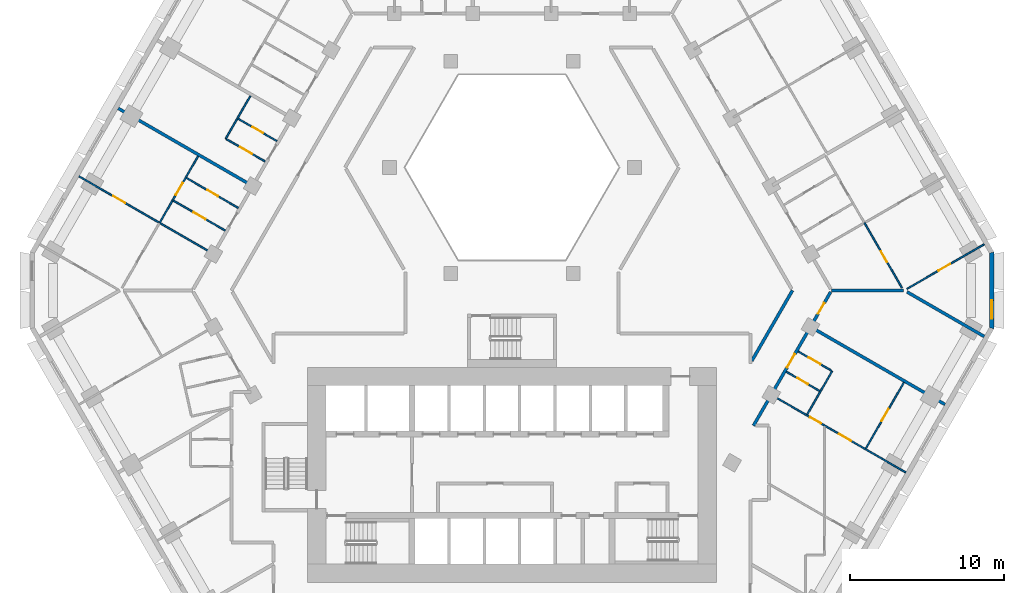
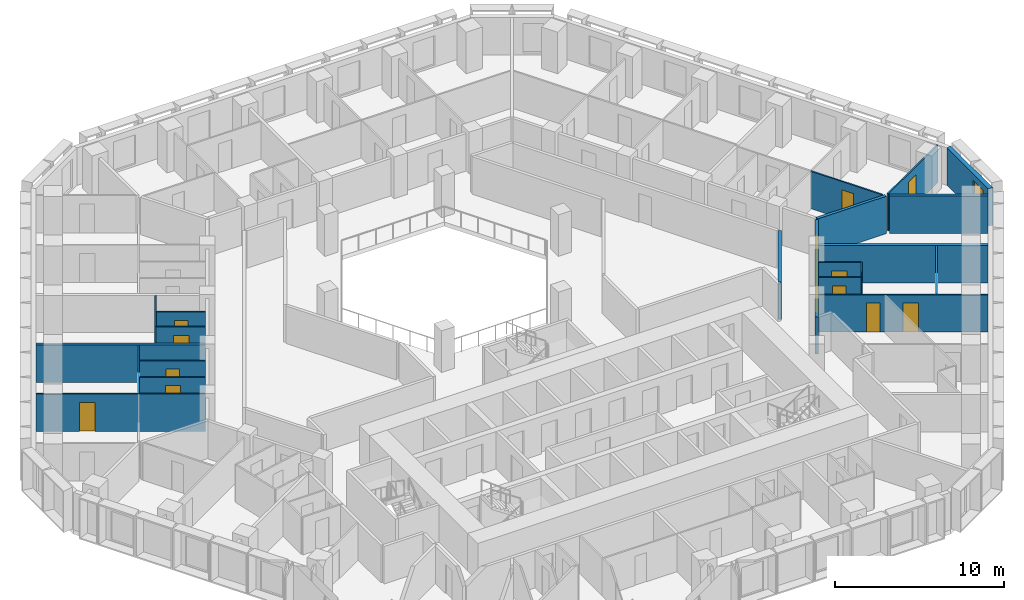
# One storey, part 7 of 16: 21 walls, 15 doors, 1 window, 16 openings.
"""IFC4 building model written with IfcOpenShell, lengths in metres."""

from ifc_helpers import new_model, si_unit, direction, frame, frame_2d, origin, place, context, subcontext, project, spatial, polyline, rectangle, outline, extrude, material, layer, layer_set, type_object, element, fill, save


model = new_model("IFC4")

# Units and contexts
model_context = context("Model", 3, precision=1e-05, world=origin(), true_north=direction((0.0, 1.0)))
body_context = subcontext(model_context, "Body", "Model", "MODEL_VIEW")
ifc_project = project(units=[si_unit("LENGTHUNIT", "METRE"), si_unit("AREAUNIT", "SQUARE_METRE"), si_unit("VOLUMEUNIT", "CUBIC_METRE"), si_unit("PLANEANGLEUNIT", "RADIAN"), si_unit("MASSUNIT", "GRAM", prefix="KILO")], contexts=[model_context])

# Site, building, storey
site_placement = place(None, origin())
site = spatial("IfcSite", under=ifc_project, at=site_placement, CompositionType="ELEMENT")
building_placement = place(site_placement, origin())
building = spatial("IfcBuilding", under=site, at=building_placement, Name="Beryl Residences", CompositionType="ELEMENT")
storey_placement = place(building_placement, frame((0.0, 0.0, 50.39990234375)))
storey = spatial("IfcBuildingStorey", under=building, at=storey_placement, Name="L15", CompositionType="ELEMENT", Elevation=50.39990234375)

# Wall, opening, window
ifc_material_1 = material(Name="Composite metal panel with mineral wool insulation")
ifc_layer_1 = layer(ifc_material_1, 0.300048828125)
ifc_layer_set_1 = layer_set([ifc_layer_1], Name="ES1 pale metal composite panel wall 300 mm")
wall_type_1 = type_object("IfcWallType", Name="ES1 pale metal composite panel wall 300 mm", PredefinedType="SOLIDWALL", material=ifc_layer_set_1)
wall_1_placement = place(storey_placement, frame((31.199951171875, -2.5, 0.0), z_axis=(0.0, 0.0, 1.0), x_axis=(0.0, 1.0, 0.0)))
wall_1 = element("IfcWall", 1, at=wall_1_placement, inside=storey, type_object=wall_type_1, Name="ES1 external wall L15 SE-NE", PredefinedType="SOLIDWALL", context=body_context, shape_type="SweptSolid", body=[
    extrude(outline(polyline([(0.0, -0.14990234375), (5.0, -0.14990234375), (4.919677734375, 0.14990234375), (0.080322265625, 0.14990234375), (0.0, -0.14990234375)])), origin(), (0.0, 0.0, 1.0), 2.7001953125),
])
opening_1_placement = place(wall_1_placement, frame((0.64990234375, 0.0, 0.14990234375)))
opening_1 = element("IfcOpeningElement", 2, at=opening_1_placement, cuts=wall_1, Name="Opening W2", PredefinedType="OPENING", context=body_context, shape_type="SweptSolid", body=[
    extrude(rectangle(XDim=1.199951171875, YDim=2.10009765625, at=frame_2d((0.60009765625, 1.050048828125))), frame((0.0, 0.159912109375, 0.0), z_axis=(0.0, -1.0, 0.0), x_axis=(1.0, 0.0, 0.0)), (0.0, 0.0, 1.0), 0.320068359375),
])
ifc_material_2 = material(Name="Aluminium and clear glass", Category="aluminium")
window_type = type_object("IfcWindowType", Name="W2 chamfer window 1200 x 2100 mm", PartitioningType="SINGLE_PANEL", PredefinedType="WINDOW", material=ifc_material_2)
window_placement = place(opening_1_placement, origin())
window = element("IfcWindow", 3, at=window_placement, inside=storey, type_object=window_type, Name="W2 window L15 SE-NE 1", OverallHeight=2.10009765625, OverallWidth=1.199951171875, PartitioningType="SINGLE_PANEL", PredefinedType="WINDOW", context=body_context, shape_type="SweptSolid", body=[
    extrude(rectangle(XDim=1.199951171875, YDim=2.10009765625, at=frame_2d((0.60009765625, 1.050048828125))), frame((0.0, 0.030029296875, 0.0), z_axis=(0.0, -1.0, 0.0), x_axis=(1.0, 0.0, 0.0)), (0.0, 0.0, 1.0), 0.06005859375),
])
fill(opening_1, window)

# Wall, opening, door
ifc_material_3 = material(Name="Gypsum board partition on steel studs", Category="steel")
ifc_layer_2 = layer(ifc_material_3, 0.10009765625)
ifc_layer_set_2 = layer_set([ifc_layer_2], Name="PT1 partition 100 mm gypsum board on steel studs")
wall_type_2 = type_object("IfcWallType", Name="PT1 partition 100 mm gypsum board on steel studs", PredefinedType="PARTITIONING", material=ifc_layer_set_2)
wall_2_placement = place(storey_placement, frame((-21.177001953125, 7.31396484375, 0.0), z_axis=(0.0, 0.0, 1.0), x_axis=(0.865979019114, -0.500080332001, 0.0)))
wall_2 = element("IfcWall", 4, at=wall_2_placement, inside=storey, type_object=wall_type_2, Name="Wall PT1 L15 011", PredefinedType="PARTITIONING", context=body_context, shape_type="SweptSolid", body=[
    extrude(rectangle(XDim=3.897216796875, YDim=0.10009765625, at=frame_2d((1.94873046875, 0.0))), origin(), (0.0, 0.0, 1.0), 2.7001953125),
])
opening_2_placement = place(wall_2_placement, frame((1.573974609375, 0.0, 0.0)))
opening_2 = element("IfcOpeningElement", 5, at=opening_2_placement, cuts=wall_2, Name="Opening D0505", PredefinedType="OPENING", context=body_context, shape_type="SweptSolid", body=[
    extrude(rectangle(XDim=0.800048828125, YDim=2.10009765625, at=frame_2d((0.39990234375, 1.050048828125))), frame((0.0, 0.06005859375, 0.0), z_axis=(0.0, -1.0, 0.0), x_axis=(1.0, 0.0, 0.0)), (0.0, 0.0, 1.0), 0.1201171875),
])
ifc_material_4 = material(Name="Timber door leaf", Category="wood")
door_type_1 = type_object("IfcDoorType", Name="D3 bathroom door 800 x 2100 mm", OperationType="SINGLE_SWING_LEFT", PredefinedType="DOOR", material=ifc_material_4)
door_1_placement = place(opening_2_placement, origin())
door_1 = element("IfcDoor", 6, at=door_1_placement, inside=storey, type_object=door_type_1, Name="Door D0505 L15 001", OperationType="SINGLE_SWING_LEFT", OverallHeight=2.10009765625, OverallWidth=0.800048828125, PredefinedType="DOOR", context=body_context, shape_type="SweptSolid", body=[
    extrude(rectangle(XDim=0.800048828125, YDim=2.10009765625, at=frame_2d((0.39990234375, 1.050048828125))), frame((0.0, 0.02490234375, 0.0), z_axis=(0.0, -1.0, 0.0), x_axis=(1.0, 0.0, 0.0)), (0.0, 0.0, 1.0), 0.050048828125),
])
fill(opening_2, door_1)

wall_3_placement = place(storey_placement, frame((-22.027099609375, 5.842041015625, 0.0), z_axis=(0.0, 0.0, 1.0), x_axis=(0.865979019114, -0.500080332001, 0.0)))
wall_3 = element("IfcWall", 7, at=wall_3_placement, inside=storey, type_object=wall_type_2, Name="Wall PT1 L15 012", PredefinedType="PARTITIONING", context=body_context, shape_type="SweptSolid", body=[
    extrude(rectangle(XDim=3.897216796875, YDim=0.10009765625, at=frame_2d((1.94873046875, 0.0))), origin(), (0.0, 0.0, 1.0), 2.7001953125),
])
opening_3_placement = place(wall_3_placement, frame((1.52392578125, 0.0, 0.0)))
opening_3 = element("IfcOpeningElement", 8, at=opening_3_placement, cuts=wall_3, Name="Opening D0506", PredefinedType="OPENING", context=body_context, shape_type="SweptSolid", body=[
    extrude(rectangle(XDim=0.89990234375, YDim=2.10009765625, at=frame_2d((0.449951171875, 1.050048828125))), frame((0.0, 0.06005859375, 0.0), z_axis=(0.0, -1.0, 0.0), x_axis=(1.0, 0.0, 0.0)), (0.0, 0.0, 1.0), 0.1201171875),
])
ifc_material_5 = material(Name="Timber door leaf", Category="wood")
door_type_2 = type_object("IfcDoorType", Name="D2 room door 900 x 2100 mm", OperationType="SINGLE_SWING_LEFT", PredefinedType="DOOR", material=ifc_material_5)
door_2_placement = place(opening_3_placement, origin())
door_2 = element("IfcDoor", 9, at=door_2_placement, inside=storey, type_object=door_type_2, Name="Door D0506 L15 001", OperationType="SINGLE_SWING_RIGHT", OverallHeight=2.10009765625, OverallWidth=0.89990234375, PredefinedType="DOOR", context=body_context, shape_type="SweptSolid", body=[
    extrude(rectangle(XDim=0.89990234375, YDim=2.10009765625, at=frame_2d((0.449951171875, 1.050048828125))), frame((0.0, 0.02490234375, 0.0), z_axis=(0.0, -1.0, 0.0), x_axis=(1.0, 0.0, 0.0)), (0.0, 0.0, 1.0), 0.050048828125),
])
fill(opening_3, door_2)

wall_4_placement = place(storey_placement, frame((-28.1640625, 7.4189453125, 0.0), z_axis=(0.0, 0.0, 1.0), x_axis=(0.866047370643, -0.499961950354, 0.0)))
wall_4 = element("IfcWall", 10, at=wall_4_placement, inside=storey, type_object=wall_type_2, Name="Wall PT1 L15 013", PredefinedType="PARTITIONING", context=body_context, shape_type="SweptSolid", body=[
    extrude(rectangle(XDim=10.000732421875, YDim=0.10009765625, at=frame_2d((5.00048828125, 0.0))), origin(), (0.0, 0.0, 1.0), 2.7001953125),
])
opening_4_placement = place(wall_4_placement, frame((2.576904296875, 0.0, 0.0)))
opening_4 = element("IfcOpeningElement", 11, at=opening_4_placement, cuts=wall_4, Name="Opening D0508", PredefinedType="OPENING", context=body_context, shape_type="SweptSolid", body=[
    extrude(rectangle(XDim=0.89990234375, YDim=2.10009765625, at=frame_2d((0.449951171875, 1.050048828125))), frame((0.0, 0.06005859375, 0.0), z_axis=(0.0, -1.0, 0.0), x_axis=(1.0, 0.0, 0.0)), (0.0, 0.0, 1.0), 0.1201171875),
])
door_3_placement = place(opening_4_placement, origin())
door_3 = element("IfcDoor", 12, at=door_3_placement, inside=storey, type_object=door_type_2, Name="Door D0508 L15 001", OperationType="SINGLE_SWING_RIGHT", OverallHeight=2.10009765625, OverallWidth=0.89990234375, PredefinedType="DOOR", context=body_context, shape_type="SweptSolid", body=[
    extrude(rectangle(XDim=0.89990234375, YDim=2.10009765625, at=frame_2d((0.449951171875, 1.050048828125))), frame((0.0, 0.02490234375, 0.0), z_axis=(0.0, -1.0, 0.0), x_axis=(1.0, 0.0, 0.0)), (0.0, 0.0, 1.0), 0.050048828125),
])
fill(opening_4, door_3)

wall_5_placement = place(storey_placement, frame((-18.576904296875, 9.841064453125, 0.0), z_axis=(0.0, 0.0, 1.0), x_axis=(0.865899003441, -0.500218867937, 0.0)))
wall_5 = element("IfcWall", 13, at=wall_5_placement, inside=storey, type_object=wall_type_2, Name="Wall PT1 L15 014", PredefinedType="PARTITIONING", context=body_context, shape_type="SweptSolid", body=[
    extrude(rectangle(XDim=2.908935546875, YDim=0.10009765625, at=frame_2d((1.45458984375, 0.0))), origin(), (0.0, 0.0, 1.0), 2.7001953125),
])
opening_5_placement = place(wall_5_placement, frame((1.029052734375, 0.0, 0.0)))
opening_5 = element("IfcOpeningElement", 14, at=opening_5_placement, cuts=wall_5, Name="Opening D0502", PredefinedType="OPENING", context=body_context, shape_type="SweptSolid", body=[
    extrude(rectangle(XDim=0.89990234375, YDim=2.10009765625, at=frame_2d((0.449951171875, 1.050048828125))), frame((0.0, 0.06005859375, 0.0), z_axis=(0.0, -1.0, 0.0), x_axis=(1.0, 0.0, 0.0)), (0.0, 0.0, 1.0), 0.1201171875),
])
door_4_placement = place(opening_5_placement, origin())
door_4 = element("IfcDoor", 15, at=door_4_placement, inside=storey, type_object=door_type_2, Name="Door D0502 L15 001", OperationType="SINGLE_SWING_RIGHT", OverallHeight=2.10009765625, OverallWidth=0.89990234375, PredefinedType="DOOR", context=body_context, shape_type="SweptSolid", body=[
    extrude(rectangle(XDim=0.89990234375, YDim=2.10009765625, at=frame_2d((0.449951171875, 1.050048828125))), frame((0.0, 0.02490234375, 0.0), z_axis=(0.0, -1.0, 0.0), x_axis=(1.0, 0.0, 0.0)), (0.0, 0.0, 1.0), 0.050048828125),
])
fill(opening_5, door_4)

wall_6_placement = place(storey_placement, frame((17.843994140625, -5.2919921875, 0.0), z_axis=(0.0, 0.0, 1.0), x_axis=(0.866038211682, -0.499977815414, 0.0)))
wall_6 = element("IfcWall", 16, at=wall_6_placement, inside=storey, type_object=wall_type_2, Name="Wall PT1 L15 018", PredefinedType="PARTITIONING", context=body_context, shape_type="SweptSolid", body=[
    extrude(rectangle(XDim=2.51025390625, YDim=0.10009765625, at=frame_2d((1.255126953125, 0.0))), origin(), (0.0, 0.0, 1.0), 2.7001953125),
])
opening_6_placement = place(wall_6_placement, frame((0.830078125, 0.0, 0.0)))
opening_6 = element("IfcOpeningElement", 17, at=opening_6_placement, cuts=wall_6, Name="Opening D0538", PredefinedType="OPENING", context=body_context, shape_type="SweptSolid", body=[
    extrude(rectangle(XDim=0.800048828125, YDim=2.10009765625, at=frame_2d((0.39990234375, 1.050048828125))), frame((0.0, 0.06005859375, 0.0), z_axis=(0.0, -1.0, 0.0), x_axis=(1.0, 0.0, 0.0)), (0.0, 0.0, 1.0), 0.1201171875),
])
door_5_placement = place(opening_6_placement, origin())
door_5 = element("IfcDoor", 18, at=door_5_placement, inside=storey, type_object=door_type_1, Name="Door D0538 L15 001", OperationType="SINGLE_SWING_RIGHT", OverallHeight=2.10009765625, OverallWidth=0.800048828125, PredefinedType="DOOR", context=body_context, shape_type="SweptSolid", body=[
    extrude(rectangle(XDim=0.800048828125, YDim=2.10009765625, at=frame_2d((0.39990234375, 1.050048828125))), frame((0.0, 0.02490234375, 0.0), z_axis=(0.0, -1.0, 0.0), x_axis=(1.0, 0.0, 0.0)), (0.0, 0.0, 1.0), 0.050048828125),
])
fill(opening_6, door_5)

wall_7_placement = place(storey_placement, frame((18.610107421875, -3.966064453125, 0.0), z_axis=(0.0, 0.0, 1.0), x_axis=(0.865958718457, -0.500115484592, 0.0)))
wall_7 = element("IfcWall", 19, at=wall_7_placement, inside=storey, type_object=wall_type_2, Name="Wall PT1 L15 019", PredefinedType="PARTITIONING", context=body_context, shape_type="SweptSolid", body=[
    extrude(rectangle(XDim=2.50927734375, YDim=0.10009765625, at=frame_2d((1.254638671875, 0.0))), origin(), (0.0, 0.0, 1.0), 2.7001953125),
])
opening_7_placement = place(wall_7_placement, frame((0.780029296875, 0.0, 0.0)))
opening_7 = element("IfcOpeningElement", 20, at=opening_7_placement, cuts=wall_7, Name="Opening D0537", PredefinedType="OPENING", context=body_context, shape_type="SweptSolid", body=[
    extrude(rectangle(XDim=0.89990234375, YDim=2.10009765625, at=frame_2d((0.449951171875, 1.050048828125))), frame((0.0, 0.06005859375, 0.0), z_axis=(0.0, -1.0, 0.0), x_axis=(1.0, 0.0, 0.0)), (0.0, 0.0, 1.0), 0.1201171875),
])
door_6_placement = place(opening_7_placement, origin())
door_6 = element("IfcDoor", 21, at=door_6_placement, inside=storey, type_object=door_type_2, Name="Door D0537 L15 001", OperationType="SINGLE_SWING_LEFT", OverallHeight=2.10009765625, OverallWidth=0.89990234375, PredefinedType="DOOR", context=body_context, shape_type="SweptSolid", body=[
    extrude(rectangle(XDim=0.89990234375, YDim=2.10009765625, at=frame_2d((0.449951171875, 1.050048828125))), frame((0.0, 0.02490234375, 0.0), z_axis=(0.0, -1.0, 0.0), x_axis=(1.0, 0.0, 0.0)), (0.0, 0.0, 1.0), 0.050048828125),
])
fill(opening_7, door_6)

wall_8_placement = place(storey_placement, frame((-17.81298828125, 11.1669921875, 0.0), z_axis=(0.0, 0.0, 1.0), x_axis=(0.866087824531, -0.499891868507, 0.0)))
wall_8 = element("IfcWall", 22, at=wall_8_placement, inside=storey, type_object=wall_type_2, Name="Wall PT1 L15 021", PredefinedType="PARTITIONING", context=body_context, shape_type="SweptSolid", body=[
    extrude(rectangle(XDim=2.910888671875, YDim=0.10009765625, at=frame_2d((1.45556640625, 0.0))), origin(), (0.0, 0.0, 1.0), 2.7001953125),
])
opening_8_placement = place(wall_8_placement, frame((1.080078125, 0.0, 0.0)))
opening_8 = element("IfcOpeningElement", 23, at=opening_8_placement, cuts=wall_8, Name="Opening D0503", PredefinedType="OPENING", context=body_context, shape_type="SweptSolid", body=[
    extrude(rectangle(XDim=0.800048828125, YDim=2.10009765625, at=frame_2d((0.39990234375, 1.050048828125))), frame((0.0, 0.06005859375, 0.0), z_axis=(0.0, -1.0, 0.0), x_axis=(1.0, 0.0, 0.0)), (0.0, 0.0, 1.0), 0.1201171875),
])
door_7_placement = place(opening_8_placement, origin())
door_7 = element("IfcDoor", 24, at=door_7_placement, inside=storey, type_object=door_type_1, Name="Door D0503 L15 001", OperationType="SINGLE_SWING_LEFT", OverallHeight=2.10009765625, OverallWidth=0.800048828125, PredefinedType="DOOR", context=body_context, shape_type="SweptSolid", body=[
    extrude(rectangle(XDim=0.800048828125, YDim=2.10009765625, at=frame_2d((0.39990234375, 1.050048828125))), frame((0.0, 0.02490234375, 0.0), z_axis=(0.0, -1.0, 0.0), x_axis=(1.0, 0.0, 0.0)), (0.0, 0.0, 1.0), 0.050048828125),
])
fill(opening_8, door_7)

# Wall, openings, doors
wall_9_placement = place(storey_placement, frame((16.950927734375, -6.839111328125, 0.0), z_axis=(0.0, 0.0, 1.0), x_axis=(0.866022959057, -0.500004234368, 0.0)))
wall_9 = element("IfcWall", 25, at=wall_9_placement, inside=storey, type_object=wall_type_2, Name="Wall PT1 L15 024", PredefinedType="PARTITIONING", context=body_context, shape_type="SweptSolid", body=[
    extrude(rectangle(XDim=10.0, YDim=0.10009765625, at=frame_2d((5.0, 0.0))), origin(), (0.0, 0.0, 1.0), 2.7001953125),
])
opening_9_placement = place(wall_9_placement, frame((4.9951171875, 0.0, 0.0)))
opening_9 = element("IfcOpeningElement", 26, at=opening_9_placement, cuts=wall_9, Name="Opening D0540", PredefinedType="OPENING", context=body_context, shape_type="SweptSolid", body=[
    extrude(rectangle(XDim=0.89990234375, YDim=2.10009765625, at=frame_2d((0.449951171875, 1.050048828125))), frame((0.0, 0.06005859375, 0.0), z_axis=(0.0, -1.0, 0.0), x_axis=(1.0, 0.0, 0.0)), (0.0, 0.0, 1.0), 0.1201171875),
])
opening_10_placement = place(wall_9_placement, frame((2.820068359375, 0.0, 0.0)))
opening_10 = element("IfcOpeningElement", 27, at=opening_10_placement, cuts=wall_9, Name="Opening D0541", PredefinedType="OPENING", context=body_context, shape_type="SweptSolid", body=[
    extrude(rectangle(XDim=0.800048828125, YDim=2.10009765625, at=frame_2d((0.39990234375, 1.050048828125))), frame((0.0, 0.06005859375, 0.0), z_axis=(0.0, -1.0, 0.0), x_axis=(1.0, 0.0, 0.0)), (0.0, 0.0, 1.0), 0.1201171875),
])
door_8_placement = place(opening_9_placement, origin())
door_8 = element("IfcDoor", 28, at=door_8_placement, inside=storey, type_object=door_type_2, Name="Door D0540 L15 001", OperationType="SINGLE_SWING_RIGHT", OverallHeight=2.10009765625, OverallWidth=0.89990234375, PredefinedType="DOOR", context=body_context, shape_type="SweptSolid", body=[
    extrude(rectangle(XDim=0.89990234375, YDim=2.10009765625, at=frame_2d((0.449951171875, 1.050048828125))), frame((0.0, 0.02490234375, 0.0), z_axis=(0.0, -1.0, 0.0), x_axis=(1.0, 0.0, 0.0)), (0.0, 0.0, 1.0), 0.050048828125),
])
fill(opening_9, door_8)
door_9_placement = place(opening_10_placement, origin())
door_9 = element("IfcDoor", 29, at=door_9_placement, inside=storey, type_object=door_type_1, Name="Door D0541 L15 001", OperationType="SINGLE_SWING_LEFT", OverallHeight=2.10009765625, OverallWidth=0.800048828125, PredefinedType="DOOR", context=body_context, shape_type="SweptSolid", body=[
    extrude(rectangle(XDim=0.800048828125, YDim=2.10009765625, at=frame_2d((0.39990234375, 1.050048828125))), frame((0.0, 0.02490234375, 0.0), z_axis=(0.0, -1.0, 0.0), x_axis=(1.0, 0.0, 0.0)), (0.0, 0.0, 1.0), 0.050048828125),
])
fill(opening_10, door_9)

# Wall
wall_10_placement = place(storey_placement, frame((19.193115234375, -8.075927734375, 0.0), z_axis=(0.0, 0.0, 1.0), x_axis=(0.499901468276, 0.866082283629, 0.0)))
element("IfcWall", 30, at=wall_10_placement, inside=storey, type_object=wall_type_2, Name="Wall PT1 L15 036", PredefinedType="PARTITIONING", context=body_context, shape_type="SweptSolid", body=[
    extrude(rectangle(XDim=3.266357421875, YDim=0.10009765625, at=frame_2d((1.63330078125, 0.0))), origin(), (0.0, 0.0, 1.0), 2.7001953125),
])

# Wall, opening, door
wall_11_placement = place(storey_placement, frame((23.012939453125, -10.281005859375, 0.0), z_axis=(0.0, 0.0, 1.0), x_axis=(0.499881743012, 0.866093668724, 0.0)))
wall_11 = element("IfcWall", 31, at=wall_11_placement, inside=storey, type_object=wall_type_2, Name="Wall PT1 L15 037", PredefinedType="PARTITIONING", context=body_context, shape_type="SweptSolid", body=[
    extrude(rectangle(XDim=4.953369140625, YDim=0.10009765625, at=frame_2d((2.4765625, 0.0))), origin(), (0.0, 0.0, 1.0), 2.7001953125),
])
opening_11_placement = place(wall_11_placement, frame((2.052001953125, 0.0, 0.0)))
opening_11 = element("IfcOpeningElement", 32, at=opening_11_placement, cuts=wall_11, Name="Opening D0539", PredefinedType="OPENING", context=body_context, shape_type="SweptSolid", body=[
    extrude(rectangle(XDim=0.89990234375, YDim=2.10009765625, at=frame_2d((0.449951171875, 1.050048828125))), frame((0.0, 0.06005859375, 0.0), z_axis=(0.0, -1.0, 0.0), x_axis=(1.0, 0.0, 0.0)), (0.0, 0.0, 1.0), 0.1201171875),
])
door_10_placement = place(opening_11_placement, origin())
door_10 = element("IfcDoor", 33, at=door_10_placement, inside=storey, type_object=door_type_2, Name="Door D0539 L15 001", OperationType="SINGLE_SWING_LEFT", OverallHeight=2.10009765625, OverallWidth=0.89990234375, PredefinedType="DOOR", context=body_context, shape_type="SweptSolid", body=[
    extrude(rectangle(XDim=0.89990234375, YDim=2.10009765625, at=frame_2d((0.449951171875, 1.050048828125))), frame((0.0, 0.02490234375, 0.0), z_axis=(0.0, -1.0, 0.0), x_axis=(1.0, 0.0, 0.0)), (0.0, 0.0, 1.0), 0.050048828125),
])
fill(opening_11, door_10)

# Wall
wall_12_placement = place(storey_placement, frame((-18.62109375, 9.866943359375, 0.0), z_axis=(0.0, 0.0, 1.0), x_axis=(0.500197891286, 0.865911121047, 0.0)))
element("IfcWall", 34, at=wall_12_placement, inside=storey, type_object=wall_type_2, Name="Wall PT1 L15 038", PredefinedType="PARTITIONING", context=body_context, shape_type="SweptSolid", body=[
    extrude(rectangle(XDim=3.215087890625, YDim=0.10009765625, at=frame_2d((1.607421875, 0.0))), origin(), (0.0, 0.0, 1.0), 2.7001953125),
])

# Wall, opening, door
wall_13_placement = place(storey_placement, frame((25.69189453125, 0.10107421875, 0.0), z_axis=(0.0, 0.0, 1.0), x_axis=(0.866116197112, 0.49984270836, 0.0)))
wall_13 = element("IfcWall", 35, at=wall_13_placement, inside=storey, type_object=wall_type_2, Name="Wall PT1 L15 061", PredefinedType="PARTITIONING", context=body_context, shape_type="SweptSolid", body=[
    extrude(rectangle(XDim=5.799560546875, YDim=0.10009765625, at=frame_2d((2.89990234375, 0.0))), origin(), (0.0, 0.0, 1.0), 2.7001953125),
])
opening_12_placement = place(wall_13_placement, frame((2.35009765625, 0.0, 0.0)))
opening_12 = element("IfcOpeningElement", 36, at=opening_12_placement, cuts=wall_13, Name="Opening D0550", PredefinedType="OPENING", context=body_context, shape_type="SweptSolid", body=[
    extrude(rectangle(XDim=0.89990234375, YDim=2.10009765625, at=frame_2d((0.449951171875, 1.050048828125))), frame((0.0, 0.06005859375, 0.0), z_axis=(0.0, -1.0, 0.0), x_axis=(1.0, 0.0, 0.0)), (0.0, 0.0, 1.0), 0.1201171875),
])
door_11_placement = place(opening_12_placement, origin())
door_11 = element("IfcDoor", 37, at=door_11_placement, inside=storey, type_object=door_type_2, Name="Door D0550 L15 001", OperationType="SINGLE_SWING_RIGHT", OverallHeight=2.10009765625, OverallWidth=0.89990234375, PredefinedType="DOOR", context=body_context, shape_type="SweptSolid", body=[
    extrude(rectangle(XDim=0.89990234375, YDim=2.10009765625, at=frame_2d((0.449951171875, 1.050048828125))), frame((0.0, 0.02490234375, 0.0), z_axis=(0.0, -1.0, 0.0), x_axis=(1.0, 0.0, 0.0)), (0.0, 0.0, 1.0), 0.050048828125),
])
fill(opening_12, door_11)

wall_14_placement = place(storey_placement, frame((22.9208984375, 4.39404296875, 0.0), z_axis=(0.0, 0.0, 1.0), x_axis=(0.500093956194, -0.865971151354, 0.0)))
wall_14 = element("IfcWall", 38, at=wall_14_placement, inside=storey, type_object=wall_type_2, Name="Wall PT1 L15 068", PredefinedType="PARTITIONING", context=body_context, shape_type="SweptSolid", body=[
    extrude(rectangle(XDim=4.873046875, YDim=0.10009765625, at=frame_2d((2.4365234375, 0.0))), origin(), (0.0, 0.0, 1.0), 2.7001953125),
])
opening_13_placement = place(wall_14_placement, frame((2.136962890625, 0.0, 0.0)))
opening_13 = element("IfcOpeningElement", 39, at=opening_13_placement, cuts=wall_14, Name="Opening D0551", PredefinedType="OPENING", context=body_context, shape_type="SweptSolid", body=[
    extrude(rectangle(XDim=0.800048828125, YDim=2.10009765625, at=frame_2d((0.39990234375, 1.050048828125))), frame((0.0, 0.06005859375, 0.0), z_axis=(0.0, -1.0, 0.0), x_axis=(1.0, 0.0, 0.0)), (0.0, 0.0, 1.0), 0.1201171875),
])
door_12_placement = place(opening_13_placement, origin())
door_12 = element("IfcDoor", 40, at=door_12_placement, inside=storey, type_object=door_type_1, Name="Door D0551 L15 001", OperationType="SINGLE_SWING_LEFT", OverallHeight=2.10009765625, OverallWidth=0.800048828125, PredefinedType="DOOR", context=body_context, shape_type="SweptSolid", body=[
    extrude(rectangle(XDim=0.800048828125, YDim=2.10009765625, at=frame_2d((0.39990234375, 1.050048828125))), frame((0.0, 0.02490234375, 0.0), z_axis=(0.0, -1.0, 0.0), x_axis=(1.0, 0.0, 0.0)), (0.0, 0.0, 1.0), 0.050048828125),
])
fill(opening_13, door_12)

wall_15_placement = place(storey_placement, frame((-22.9208984375, 4.39208984375, 0.0), z_axis=(0.0, 0.0, 1.0), x_axis=(0.499958946799, 0.866049104564, 0.0)))
wall_15 = element("IfcWall", 41, at=wall_15_placement, inside=storey, type_object=wall_type_2, Name="Wall PT1 L15 071", PredefinedType="PARTITIONING", context=body_context, shape_type="SweptSolid", body=[
    extrude(rectangle(XDim=5.00439453125, YDim=0.10009765625, at=frame_2d((2.502197265625, 0.0))), origin(), (0.0, 0.0, 1.0), 2.7001953125),
])
opening_14_placement = place(wall_15_placement, frame((2.10302734375, 0.0, 0.0)))
opening_14 = element("IfcOpeningElement", 42, at=opening_14_placement, cuts=wall_15, Name="Opening D0507", PredefinedType="OPENING", context=body_context, shape_type="SweptSolid", body=[
    extrude(rectangle(XDim=0.89990234375, YDim=2.10009765625, at=frame_2d((0.449951171875, 1.050048828125))), frame((0.0, 0.06005859375, 0.0), z_axis=(0.0, -1.0, 0.0), x_axis=(1.0, 0.0, 0.0)), (0.0, 0.0, 1.0), 0.1201171875),
])
door_13_placement = place(opening_14_placement, origin())
door_13 = element("IfcDoor", 43, at=door_13_placement, inside=storey, type_object=door_type_2, Name="Door D0507 L15 001", OperationType="SINGLE_SWING_LEFT", OverallHeight=2.10009765625, OverallWidth=0.89990234375, PredefinedType="DOOR", context=body_context, shape_type="SweptSolid", body=[
    extrude(rectangle(XDim=0.89990234375, YDim=2.10009765625, at=frame_2d((0.449951171875, 1.050048828125))), frame((0.0, 0.02490234375, 0.0), z_axis=(0.0, -1.0, 0.0), x_axis=(1.0, 0.0, 0.0)), (0.0, 0.0, 1.0), 0.050048828125),
])
fill(opening_14, door_13)

# Walls
ifc_material_6 = material(Name="Acoustic double stud gypsum board wall")
ifc_layer_3 = layer(ifc_material_6, 0.199951171875)
ifc_layer_set_3 = layer_set([ifc_layer_3], Name="PT3 party wall 200 mm acoustic double stud")
wall_type_3 = type_object("IfcWallType", Name="PT3 party wall 200 mm acoustic double stud", PredefinedType="PARTITIONING", material=ifc_layer_set_3)
for number, where, z_axis, x_axis, name in (
    (44, (-25.611083984375, 11.839111328125, 0.0), (0.0, 0.0, 1.0), (0.866022959057, -0.500004234368, 0.0), "Wall PT3 L15 005"),
    (45, (19.5029296875, -2.4189453125, 0.0), (0.0, 0.0, 1.0), (0.866022959057, -0.500004234368, 0.0), "Wall PT3 L15 006"),
):
    element("IfcWall", number, at=place(storey_placement, frame(where, z_axis=z_axis, x_axis=x_axis)), inside=storey, type_object=wall_type_3, Name=name, PredefinedType="PARTITIONING", context=body_context, shape_type="SweptSolid", body=[
        extrude(rectangle(XDim=10.0, YDim=0.199951171875, at=frame_2d((5.0, 0.0))), origin(), (0.0, 0.0, 1.0), 2.7001953125),
    ])
wall_16_placement = place(storey_placement, frame((25.693115234375, -0.09912109375, 0.0), z_axis=(0.0, 0.0, 1.0), x_axis=(0.866032775405, -0.499987231761, 0.0)))
element("IfcWall", 46, at=wall_16_placement, inside=storey, type_object=wall_type_3, Name="Wall PT3 L15 007", PredefinedType="PARTITIONING", context=body_context, shape_type="SweptSolid", body=[
    extrude(rectangle(XDim=5.800048828125, YDim=0.199951171875, at=frame_2d((2.89990234375, 0.0))), origin(), (0.0, 0.0, 1.0), 2.7001953125),
])
wall_17_placement = place(storey_placement, frame((20.783935546875, 0.0009765625, 0.0), z_axis=(0.0, 0.0, 1.0), x_axis=(1.0, 0.0, 0.0)))
element("IfcWall", 47, at=wall_17_placement, inside=storey, type_object=wall_type_3, Name="Wall PT3 L15 010", PredefinedType="PARTITIONING", context=body_context, shape_type="SweptSolid", body=[
    extrude(rectangle(XDim=4.694091796875, YDim=0.199951171875, at=frame_2d((2.34716796875, 0.0))), origin(), (0.0, 0.0, 1.0), 2.7001953125),
])
ifc_material_7 = material(Name="Double stud gypsum board wall")
ifc_layer_4 = layer(ifc_material_7, 0.199951171875)
ifc_layer_set_4 = layer_set([ifc_layer_4], Name="PT4 corridor wall 200 mm double stud")
wall_type_4 = type_object("IfcWallType", Name="PT4 corridor wall 200 mm double stud", PredefinedType="PARTITIONING", material=ifc_layer_set_4)
wall_18_placement = place(storey_placement, frame((15.60009765625, -4.5791015625, 0.0), z_axis=(0.0, 0.0, 1.0), x_axis=(0.499927597274, 0.866067201483, 0.0)))
element("IfcWall", 48, at=wall_18_placement, inside=storey, type_object=wall_type_4, Name="Wall PT4 L15 021", PredefinedType="PARTITIONING", context=body_context, shape_type="SweptSolid", body=[
    extrude(rectangle(XDim=5.288330078125, YDim=0.199951171875, at=frame_2d((2.64404296875, 0.0))), origin(), (0.0, 0.0, 1.0), 2.7001953125),
])

# Wall, openings, doors
wall_19_placement = place(storey_placement, frame((15.70703125, -8.7939453125, 0.0), z_axis=(0.0, 0.0, 1.0), x_axis=(0.50000451406, 0.866022797575, 0.0)))
wall_19 = element("IfcWall", 49, at=wall_19_placement, inside=storey, type_object=wall_type_4, Name="Wall PT4 L15 022", PredefinedType="PARTITIONING", context=body_context, shape_type="SweptSolid", body=[
    extrude(rectangle(XDim=10.0400390625, YDim=0.199951171875, at=frame_2d((5.02001953125, 0.0))), origin(), (0.0, 0.0, 1.0), 2.7001953125),
])
opening_15_placement = place(wall_19_placement, frame((4.366943359375, 0.0, 0.0)))
opening_15 = element("IfcOpeningElement", 50, at=opening_15_placement, cuts=wall_19, Name="Opening D0536", PredefinedType="OPENING", context=body_context, shape_type="SweptSolid", body=[
    extrude(rectangle(XDim=1.0, YDim=2.10009765625, at=frame_2d((0.5, 1.050048828125))), frame((0.0, 0.10986328125, 0.0), z_axis=(0.0, -1.0, 0.0), x_axis=(1.0, 0.0, 0.0)), (0.0, 0.0, 1.0), 0.219970703125),
])
opening_16_placement = place(wall_19_placement, frame((8.402099609375, 0.0, 0.0)))
opening_16 = element("IfcOpeningElement", 51, at=opening_16_placement, cuts=wall_19, Name="Opening D0544", PredefinedType="OPENING", context=body_context, shape_type="SweptSolid", body=[
    extrude(rectangle(XDim=0.800048828125, YDim=2.10009765625, at=frame_2d((0.39990234375, 1.050048828125))), frame((0.0, 0.10986328125, 0.0), z_axis=(0.0, -1.0, 0.0), x_axis=(1.0, 0.0, 0.0)), (0.0, 0.0, 1.0), 0.219970703125),
])
ifc_material_8 = material(Name="Timber door leaf", Category="wood")
door_type_3 = type_object("IfcDoorType", Name="D1 flat entrance door 1000 x 2100 mm", OperationType="SINGLE_SWING_LEFT", PredefinedType="DOOR", material=ifc_material_8)
door_14_placement = place(opening_15_placement, origin())
door_14 = element("IfcDoor", 52, at=door_14_placement, inside=storey, type_object=door_type_3, Name="Door D0536 L15 001", OperationType="SINGLE_SWING_RIGHT", OverallHeight=2.10009765625, OverallWidth=1.0, PredefinedType="DOOR", context=body_context, shape_type="SweptSolid", body=[
    extrude(rectangle(XDim=1.0, YDim=2.10009765625, at=frame_2d((0.5, 1.050048828125))), frame((0.0, 0.02490234375, 0.0), z_axis=(0.0, -1.0, 0.0), x_axis=(1.0, 0.0, 0.0)), (0.0, 0.0, 1.0), 0.050048828125),
])
fill(opening_15, door_14)
door_15_placement = place(opening_16_placement, origin())
door_15 = element("IfcDoor", 53, at=door_15_placement, inside=storey, type_object=door_type_1, Name="Door D0544 L15 001", OperationType="SINGLE_SWING_RIGHT", OverallHeight=2.10009765625, OverallWidth=0.800048828125, PredefinedType="DOOR", context=body_context, shape_type="SweptSolid", body=[
    extrude(rectangle(XDim=0.800048828125, YDim=2.10009765625, at=frame_2d((0.39990234375, 1.050048828125))), frame((0.0, 0.02490234375, 0.0), z_axis=(0.0, -1.0, 0.0), x_axis=(1.0, 0.0, 0.0)), (0.0, 0.0, 1.0), 0.050048828125),
])
fill(opening_16, door_15)

save(model, "model.ifc")
